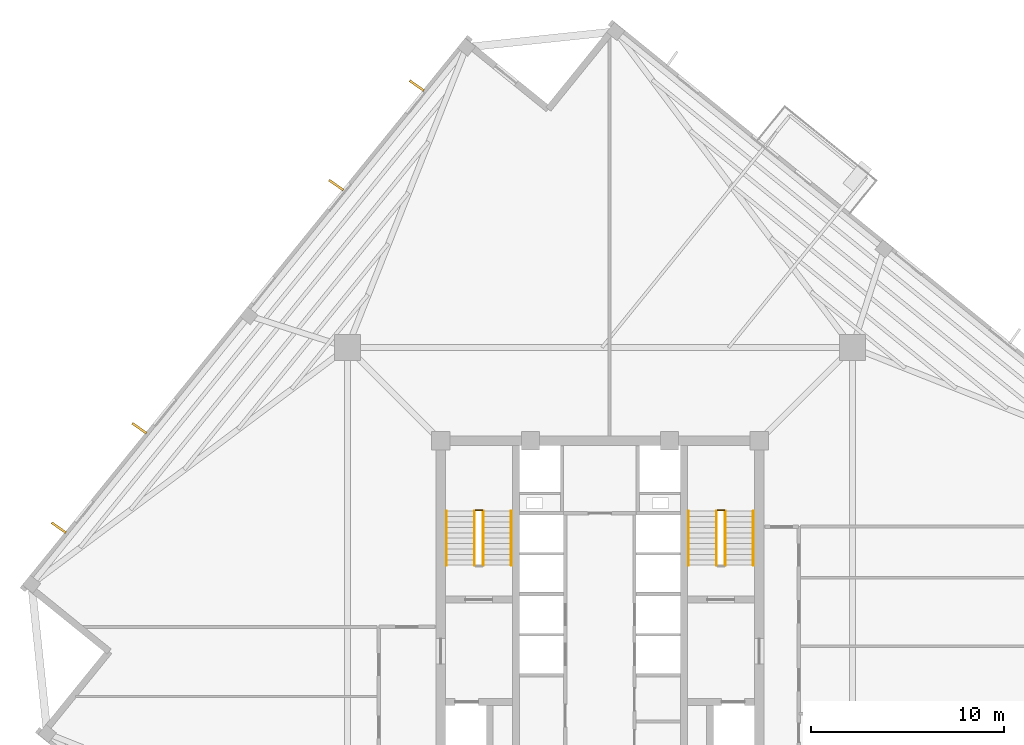
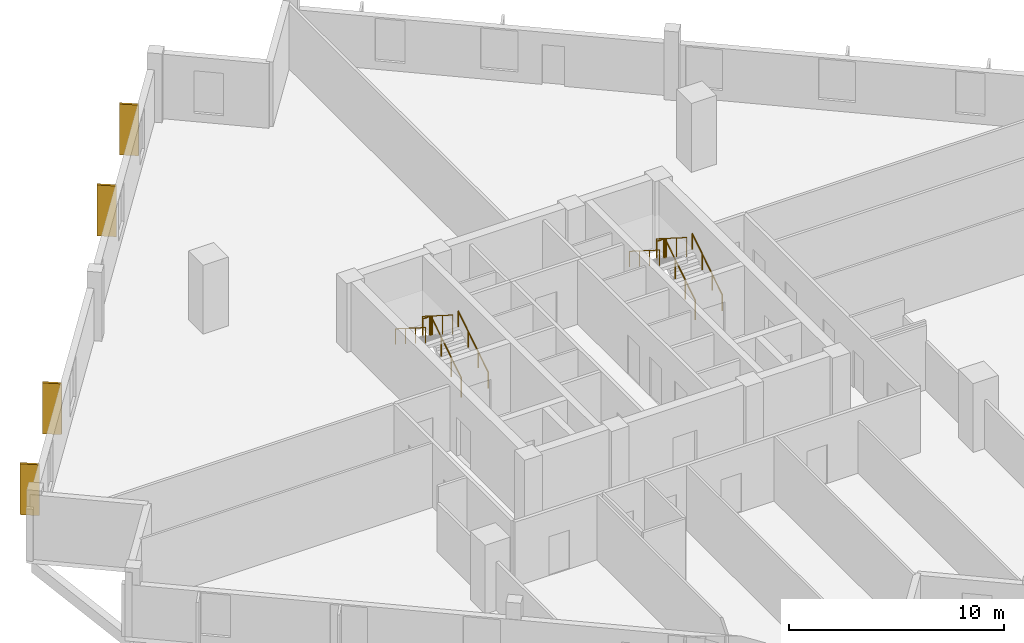
# One storey, part 9 of 10: 10 railings, 4 coverings.
"""IFC4 building model written with IfcOpenShell, lengths in metres."""

from ifc_helpers import new_model, si_unit, direction, frame, origin, origin_2d, place, context, subcontext, project, spatial, rectangle, circle, extrude, source, transform, mapped, material, layer, layer_set, type_object, element, save


model = new_model("IFC4")

# Units and contexts
model_context = context("Model", 3, precision=1e-05, world=origin(), true_north=direction((0.0, 1.0)))
body_context = subcontext(model_context, "Body", "Model", "MODEL_VIEW")
ifc_project = project(units=[si_unit("LENGTHUNIT", "METRE"), si_unit("AREAUNIT", "SQUARE_METRE"), si_unit("VOLUMEUNIT", "CUBIC_METRE"), si_unit("PLANEANGLEUNIT", "RADIAN"), si_unit("MASSUNIT", "GRAM", prefix="KILO"), si_unit("THERMODYNAMICTEMPERATUREUNIT", "KELVIN")], contexts=[model_context])

# Site, building, storey
site_placement = place(None, origin())
site = spatial("IfcSite", under=ifc_project, at=site_placement, CompositionType="ELEMENT")
building_placement = place(site_placement, origin())
building = spatial("IfcBuilding", under=site, at=building_placement, Name="Kosmvard Interchange Tower", CompositionType="ELEMENT")
storey_placement = place(building_placement, frame((0.0, 0.0, 205.60009765625)))
storey = spatial("IfcBuildingStorey", under=building, at=storey_placement, Name="L49", CompositionType="ELEMENT", Elevation=205.60009765625)

# Coverings
ifc_material_1 = material(Name="Architectural anodised aluminium", Category="aluminium")
ifc_layer = layer(ifc_material_1, 0.1201171875, Name="Architectural anodised aluminium")
ifc_layer_set = layer_set([ifc_layer], Name="Architectural anodised aluminium")
covering_type = type_object("IfcCoveringType", Name="Rotating Vertical Sun-Breaker Fin 900x120 Aluminium", PredefinedType="CLADDING", material=ifc_layer_set)
shared_shape_1 = source(origin(), body_context, "Body", "SweptSolid", [
    extrude(rectangle(XDim=0.89990234375, YDim=0.1201171875, at=origin_2d()), origin(), (0.0, 0.0, 1.0), 2.8798828125),
])
for number, where, z_axis, x_axis, name in (
    (1, (-9.494384765625, 26.650146484375, 0.0400390625), (0.0, 0.0, 1.0), (-0.817446605564, 0.576004381105, 0.0), "L49 Rotating Vertical Sun-Breaker Fin 09"),
    (2, (-13.66748046875, 21.49658203125, 0.0400390625), (0.0, 0.0, 1.0), (-0.817446605564, 0.576004381105, 0.0), "L49 Rotating Vertical Sun-Breaker Fin 10"),
    (3, (-23.86865234375, 8.8994140625, 0.0400390625), (0.0, 0.0, 1.0), (-0.817446605564, 0.576004381105, 0.0), "L49 Rotating Vertical Sun-Breaker Fin 11"),
    (4, (-28.041748046875, 3.74609375, 0.0400390625), (0.0, 0.0, 1.0), (-0.817446605564, 0.576004381105, 0.0), "L49 Rotating Vertical Sun-Breaker Fin 12"),
):
    element("IfcCovering", number, at=place(storey_placement, frame(where, z_axis=z_axis, x_axis=x_axis)), inside=storey, type_object=covering_type, Name=name, PredefinedType="CLADDING", context=body_context, shape_type="MappedRepresentation", body=[
        mapped(shared_shape_1, transform((0.0, 0.0, 0.0), scale=1.0)),
    ])

# Railings
ifc_material_2 = material(Name="Steel S355", Category="steel")
railing_type_1 = type_object("IfcRailingType", Name="Stair & Terrace Safety Guardrail 1100 Steel", PredefinedType="GUARDRAIL", material=ifc_material_2)
shared_shape_2 = source(origin(), body_context, "Body", "SweptSolid", [
    extrude(circle(Radius=0.02392578125, at=origin_2d()), frame((0.0, 0.0, 1.076171875), z_axis=(-1.0, 0.0, 0.0), x_axis=(0.0, -1.0, 0.0)), (0.0, 0.0, 1.0), 0.35986328125),
    extrude(circle(Radius=0.02099609375, at=origin_2d()), origin(), (0.0, 0.0, 1.0), 1.052001953125),
    extrude(circle(Radius=0.02099609375, at=origin_2d()), frame((-0.35986328125, 0.0, 0.0)), (0.0, 0.0, 1.0), 1.052001953125),
])
for number, where, name in (
    (5, (-6.090087890625, 4.64990234375, 1.949951171875), "L49 ST-1 stair guard 2"),
    (6, (6.449951171875, 4.64990234375, 1.949951171875), "L49 ST-2 stair guard 2"),
):
    element("IfcRailing", number, at=place(storey_placement, frame(where)), inside=storey, type_object=railing_type_1, Name=name, PredefinedType="GUARDRAIL", context=body_context, shape_type="MappedRepresentation", body=[
        mapped(shared_shape_2, transform((0.0, 0.0, 0.0), scale=1.0)),
    ])
shared_shape_3 = source(origin(), body_context, "Body", "SweptSolid", [
    extrude(circle(Radius=0.02392578125, at=origin_2d()), frame((0.0, 0.0, 1.076171875), z_axis=(0.0, 0.844908973607, 0.534910110503), x_axis=(-1.0, 0.0, 0.0)), (0.0, 0.0, 1.0), 3.31396484375),
    extrude(circle(Radius=0.02099609375, at=origin_2d()), origin(), (0.0, 0.0, 1.0), 1.052001953125),
    extrude(circle(Radius=0.02099609375, at=origin_2d()), frame((0.0, 0.933349609375, 0.5908203125)), (0.0, 0.0, 1.0), 1.052001953125),
    extrude(circle(Radius=0.02099609375, at=origin_2d()), frame((0.0, 1.86669921875, 1.181884765625)), (0.0, 0.0, 1.0), 1.052001953125),
    extrude(circle(Radius=0.02099609375, at=origin_2d()), frame((0.0, 2.800048828125, 1.772705078125)), (0.0, 0.0, 1.0), 1.052001953125),
])
for number, where, name in (
    (7, (-6.0400390625, 1.800048828125, 0.17724609375), "L49 ST-1 stair guard 1"),
    (8, (6.5, 1.800048828125, 0.17724609375), "L49 ST-2 stair guard 1"),
):
    element("IfcRailing", number, at=place(storey_placement, frame(where)), inside=storey, type_object=railing_type_1, Name=name, PredefinedType="GUARDRAIL", context=body_context, shape_type="MappedRepresentation", body=[
        mapped(shared_shape_3, transform((0.0, 0.0, 0.0), scale=1.0)),
    ])
shared_shape_4 = source(origin(), body_context, "Body", "SweptSolid", [
    extrude(circle(Radius=0.02392578125, at=origin_2d()), frame((0.0, 0.0, 1.076171875), z_axis=(0.0, -0.844908973607, 0.534910110503), x_axis=(1.0, 0.0, 0.0)), (0.0, 0.0, 1.0), 3.31396484375),
    extrude(circle(Radius=0.02099609375, at=origin_2d()), origin(), (0.0, 0.0, 1.0), 1.052001953125),
    extrude(circle(Radius=0.02099609375, at=origin_2d()), frame((0.0, -0.933349609375, 0.5908203125)), (0.0, 0.0, 1.0), 1.052001953125),
    extrude(circle(Radius=0.02099609375, at=origin_2d()), frame((0.0, -1.86669921875, 1.181884765625)), (0.0, 0.0, 1.0), 1.052001953125),
    extrude(circle(Radius=0.02099609375, at=origin_2d()), frame((0.0, -2.800048828125, 1.772705078125)), (0.0, 0.0, 1.0), 1.052001953125),
])
for number, where, name in (
    (9, (-6.5, 4.60009765625, 2.127197265625), "L49 ST-1 stair guard 3"),
    (10, (6.0400390625, 4.60009765625, 2.127197265625), "L49 ST-2 stair guard 3"),
):
    element("IfcRailing", number, at=place(storey_placement, frame(where)), inside=storey, type_object=railing_type_1, Name=name, PredefinedType="GUARDRAIL", context=body_context, shape_type="MappedRepresentation", body=[
        mapped(shared_shape_4, transform((0.0, 0.0, 0.0), scale=1.0)),
    ])
railing_type_2 = type_object("IfcRailingType", Name="Wall-Mounted Stair Handrail 900 Steel", PredefinedType="HANDRAIL", material=ifc_material_2)
shared_shape_5 = source(origin(), body_context, "Body", "SweptSolid", [
    extrude(circle(Radius=0.02392578125, at=origin_2d()), frame((0.0, 0.0, 0.8759765625), z_axis=(0.0, 0.844908973607, 0.534910110503), x_axis=(-1.0, 0.0, 0.0)), (0.0, 0.0, 1.0), 3.31396484375),
    extrude(circle(Radius=0.02099609375, at=origin_2d()), origin(), (0.0, 0.0, 1.0), 0.851806640625),
    extrude(circle(Radius=0.02099609375, at=origin_2d()), frame((0.0, 0.933349609375, 0.5908203125)), (0.0, 0.0, 1.0), 0.851806640625),
    extrude(circle(Radius=0.02099609375, at=origin_2d()), frame((0.0, 1.86669921875, 1.181884765625)), (0.0, 0.0, 1.0), 0.851806640625),
    extrude(circle(Radius=0.02099609375, at=origin_2d()), frame((0.0, 2.800048828125, 1.772705078125)), (0.0, 0.0, 1.0), 0.851806640625),
])
for number, where, name in (
    (11, (-4.590087890625, 1.800048828125, 0.17724609375), "L49 ST-1 stair handrail 1"),
    (12, (7.949951171875, 1.800048828125, 0.17724609375), "L49 ST-2 stair handrail 1"),
):
    element("IfcRailing", number, at=place(storey_placement, frame(where)), inside=storey, type_object=railing_type_2, Name=name, PredefinedType="HANDRAIL", context=body_context, shape_type="MappedRepresentation", body=[
        mapped(shared_shape_5, transform((0.0, 0.0, 0.0), scale=1.0)),
    ])
shared_shape_6 = source(origin(), body_context, "Body", "SweptSolid", [
    extrude(circle(Radius=0.02392578125, at=origin_2d()), frame((0.0, 0.0, 0.8759765625), z_axis=(0.0, -0.844908973607, 0.534910110503), x_axis=(1.0, 0.0, 0.0)), (0.0, 0.0, 1.0), 3.31396484375),
    extrude(circle(Radius=0.02099609375, at=origin_2d()), origin(), (0.0, 0.0, 1.0), 0.851806640625),
    extrude(circle(Radius=0.02099609375, at=origin_2d()), frame((0.0, -0.933349609375, 0.5908203125)), (0.0, 0.0, 1.0), 0.851806640625),
    extrude(circle(Radius=0.02099609375, at=origin_2d()), frame((0.0, -1.86669921875, 1.181884765625)), (0.0, 0.0, 1.0), 0.851806640625),
    extrude(circle(Radius=0.02099609375, at=origin_2d()), frame((0.0, -2.800048828125, 1.772705078125)), (0.0, 0.0, 1.0), 0.851806640625),
])
for number, where, name in (
    (13, (-7.949951171875, 4.60009765625, 2.127197265625), "L49 ST-1 stair handrail 2"),
    (14, (4.590087890625, 4.60009765625, 2.127197265625), "L49 ST-2 stair handrail 2"),
):
    element("IfcRailing", number, at=place(storey_placement, frame(where)), inside=storey, type_object=railing_type_2, Name=name, PredefinedType="HANDRAIL", context=body_context, shape_type="MappedRepresentation", body=[
        mapped(shared_shape_6, transform((0.0, 0.0, 0.0), scale=1.0)),
    ])

save(model, "model.ifc")
